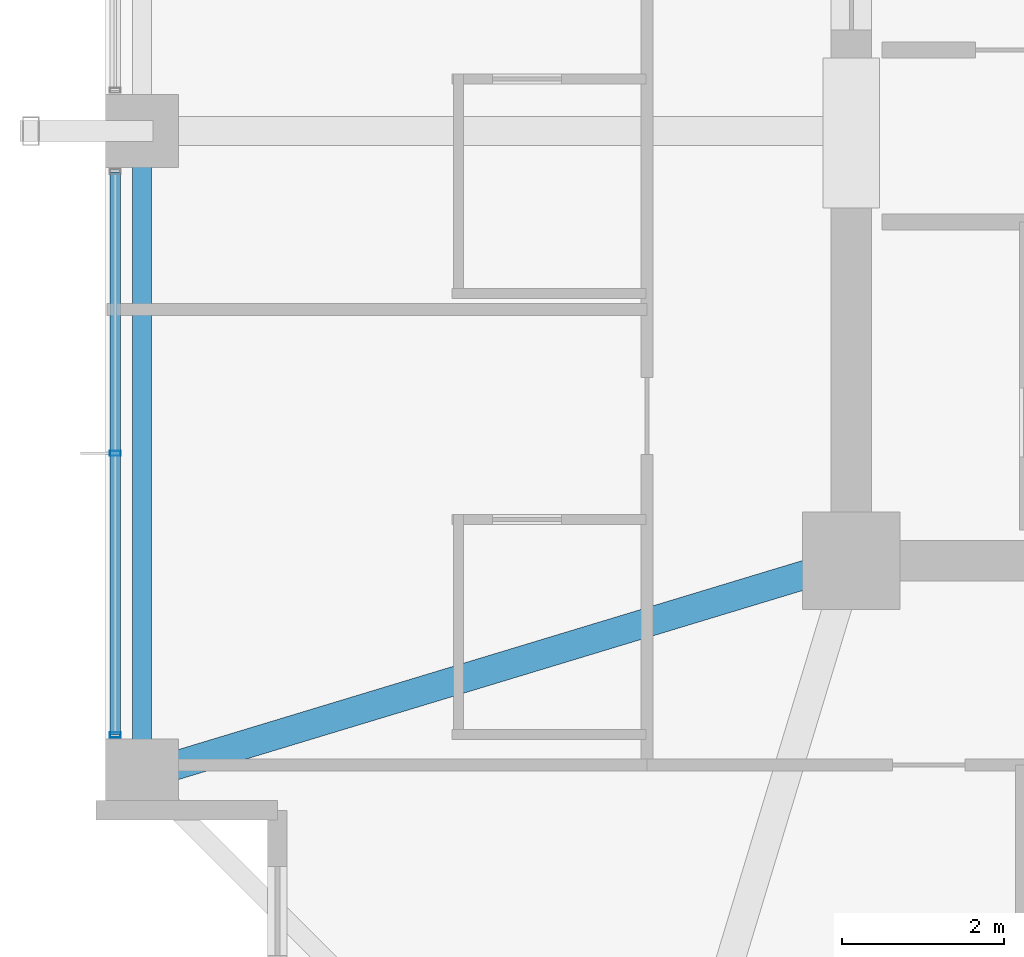
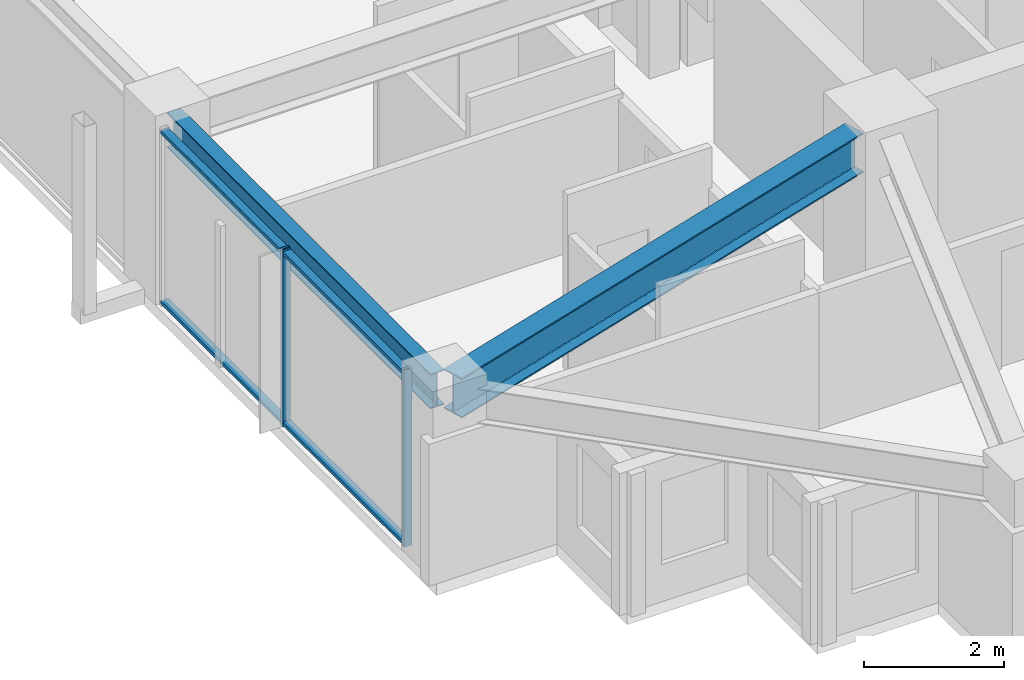
# One storey, part 4 of 32: 4 members, 2 beams, 1 element without a shape of its own.
"""IFC4 building model written with IfcOpenShell, lengths in metres."""

from ifc_helpers import new_model, si_unit, direction, frame, origin, origin_2d, place, context, subcontext, project, spatial, hollow_rectangle, i_section, extrude, material, material_profile, profile_set, type_object, element, aggregate, save


model = new_model("IFC4")

# Units and contexts
model_context = context("Model", 3, precision=1e-05, world=origin(), true_north=direction((0.0, 1.0)))
body_context = subcontext(model_context, "Body", "Model", "MODEL_VIEW")
ifc_project = project(units=[si_unit("LENGTHUNIT", "METRE"), si_unit("AREAUNIT", "SQUARE_METRE"), si_unit("VOLUMEUNIT", "CUBIC_METRE"), si_unit("PLANEANGLEUNIT", "RADIAN"), si_unit("MASSUNIT", "GRAM", prefix="KILO")], contexts=[model_context])

# Site, building, storey
site_placement = place(None, origin())
site = spatial("IfcSite", under=ifc_project, at=site_placement, CompositionType="ELEMENT")
building_placement = place(site_placement, origin())
building = spatial("IfcBuilding", under=site, at=building_placement, Name="Kolvaren Belvedere", CompositionType="ELEMENT")
storey_placement = place(building_placement, frame((0.0, 0.0, 160.199951171875)))
storey = spatial("IfcBuildingStorey", under=building, at=storey_placement, Name="L46", CompositionType="ELEMENT", Elevation=160.199951171875)

# Beams
ifc_material_1 = material(Name="Structural steel ASTM A992 Grade 50", Category="steel")
ifc_material_profile_1 = material_profile(ifc_material_1, i_section(OverallWidth=0.35498046875, OverallDepth=0.696044921875, WebThickness=0.015380859375, FlangeThickness=0.02490234375, FilletRadius=0.02197265625, at=origin_2d()), Name="W27X146")
ifc_profile_set_1 = profile_set([ifc_material_profile_1], Name="Structural steel ASTM A992 Grade 50")
beam_type_1 = type_object("IfcBeamType", Name="BM-GIRD-W27X146", PredefinedType="BEAM", material=ifc_profile_set_1)
beam_1_placement = place(storey_placement, frame((-10.426513671875, -10.059326171875, 2.751953125), z_axis=(-0.957067352423, -0.289865629086, 0.0), x_axis=(0.289865629086, -0.957067352423, 0.0)))
element("IfcBeam", 1, at=beam_1_placement, inside=storey, type_object=beam_type_1, Name="L46 Corner Core-to-Perimeter Girder CC1-W1", PredefinedType="BEAM", context=body_context, shape_type="SweptSolid", body=[
    extrude(i_section(OverallWidth=0.35498046875, OverallDepth=0.696044921875, WebThickness=0.015380859375, FlangeThickness=0.02490234375, FilletRadius=0.02197265625, at=origin_2d()), origin(), (0.0, 0.0, 1.0), 8.412353515625),
])
ifc_material_2 = material(Name="Structural steel ASTM A992 Grade 50", Category="steel")
ifc_material_profile_2 = material_profile(ifc_material_2, i_section(OverallWidth=0.22900390625, OverallDepth=0.612060546875, WebThickness=0.011962890625, FlangeThickness=0.01953125, FilletRadius=0.01806640625, at=origin_2d()), Name="W24X84")
ifc_profile_set_2 = profile_set([ifc_material_profile_2], Name="Structural steel ASTM A992 Grade 50")
beam_type_2 = type_object("IfcBeamType", Name="BM-SPAN-W24X84", PredefinedType="SPANDREL", material=ifc_profile_set_2)
beam_2_placement = place(storey_placement, frame((-18.64990234375, -4.802490234375, 2.7939453125), z_axis=(0.0, -1.0, 0.0), x_axis=(1.0, 0.0, 0.0)))
element("IfcBeam", 2, at=beam_2_placement, inside=storey, type_object=beam_type_2, Name="L46 Perimeter Spandrel W2-W1", PredefinedType="SPANDREL", context=body_context, shape_type="SweptSolid", body=[
    extrude(i_section(OverallWidth=0.22900390625, OverallDepth=0.612060546875, WebThickness=0.011962890625, FlangeThickness=0.01953125, FilletRadius=0.01806640625, at=origin_2d()), origin(), (0.0, 0.0, 1.0), 7.544921875),
])

# Curtain wall, members
ifc_material_3 = material(Name="Anodised pale-metal aluminium AA 6063-T6", Category="aluminium")
curtain_wall_type = type_object("IfcCurtainWallType", Name="CW-Z3-WAIST", PredefinedType="NOTDEFINED", material=ifc_material_3)
curtain_wall_placement = place(storey_placement, origin())
curtain_wall = element("IfcCurtainWall", 3, at=curtain_wall_placement, inside=storey, type_object=curtain_wall_type, Name="L46 Unitised Curtain Wall FCW-L46-W-B1", PredefinedType="NOTDEFINED")
ifc_material_4 = material(Name="Anodised pale-metal aluminium AA 6063-T6", Category="aluminium")
ifc_material_profile_3 = material_profile(ifc_material_4, hollow_rectangle(XDim=0.06494140625, YDim=0.1298828125, WallThickness=0.00390625, at=origin_2d()), Name="ALU-MUL-130X65")
ifc_profile_set_3 = profile_set([ifc_material_profile_3], Name="Anodised pale-metal aluminium AA 6063-T6")
member_type_1 = type_object("IfcMemberType", Name="CW-MUL-130", PredefinedType="MULLION", material=ifc_profile_set_3)
member_1_placement = place(storey_placement, frame((-18.97998046875, -12.047607421875, 0.0), z_axis=(0.0, 0.0, 1.0), x_axis=(0.0, 1.0, 0.0)))
member_1 = element("IfcMember", 4, at=member_1_placement, type_object=member_type_1, Name="FCW-L46-W-B1 Unitised Mullion 1", PredefinedType="MULLION", context=body_context, shape_type="SweptSolid", body=[
    extrude(hollow_rectangle(XDim=0.06494140625, YDim=0.1298828125, WallThickness=0.00390625, at=origin_2d()), origin(), (0.0, 0.0, 1.0), 3.10009765625),
])
member_2_placement = place(storey_placement, frame((-18.97998046875, -8.574951171875, 0.0), z_axis=(0.0, 0.0, 1.0), x_axis=(0.0, 1.0, 0.0)))
member_2 = element("IfcMember", 5, at=member_2_placement, type_object=member_type_1, Name="FCW-L46-W-B1 Unitised Mullion 2", PredefinedType="MULLION", context=body_context, shape_type="SweptSolid", body=[
    extrude(hollow_rectangle(XDim=0.06494140625, YDim=0.1298828125, WallThickness=0.00390625, at=origin_2d()), origin(), (0.0, 0.0, 1.0), 3.10009765625),
])
ifc_material_5 = material(Name="Anodised pale-metal aluminium AA 6063-T6", Category="aluminium")
ifc_material_profile_4 = material_profile(ifc_material_5, hollow_rectangle(XDim=0.06005859375, YDim=0.1298828125, WallThickness=0.00390625, at=origin_2d()), Name="ALU-TRN-130X60")
ifc_profile_set_4 = profile_set([ifc_material_profile_4], Name="Anodised pale-metal aluminium AA 6063-T6")
member_type_2 = type_object("IfcMemberType", Name="CW-TRN-130", PredefinedType="USERDEFINED", material=ifc_profile_set_4)
member_3_placement = place(storey_placement, frame((-18.97998046875, -12.047607421875, 0.06005859375), z_axis=(0.0, 1.0, 0.0), x_axis=(0.0, 0.0, 1.0)))
member_3 = element("IfcMember", 6, at=member_3_placement, type_object=member_type_2, Name="FCW-L46-W-B1 Sill Transom", ObjectType="TRANSOM", PredefinedType="USERDEFINED", context=body_context, shape_type="SweptSolid", body=[
    extrude(hollow_rectangle(XDim=0.06005859375, YDim=0.1298828125, WallThickness=0.00390625, at=origin_2d()), origin(), (0.0, 0.0, 1.0), 6.945068359375),
])
member_4_placement = place(storey_placement, frame((-18.97998046875, -12.047607421875, 3.0400390625), z_axis=(0.0, 1.0, 0.0), x_axis=(0.0, 0.0, 1.0)))
member_4 = element("IfcMember", 7, at=member_4_placement, type_object=member_type_2, Name="FCW-L46-W-B1 Head Transom", ObjectType="TRANSOM", PredefinedType="USERDEFINED", context=body_context, shape_type="SweptSolid", body=[
    extrude(hollow_rectangle(XDim=0.06005859375, YDim=0.1298828125, WallThickness=0.00390625, at=origin_2d()), origin(), (0.0, 0.0, 1.0), 6.945068359375),
])
aggregate(curtain_wall, [member_1, member_2, member_3, member_4])

save(model, "model.ifc")
